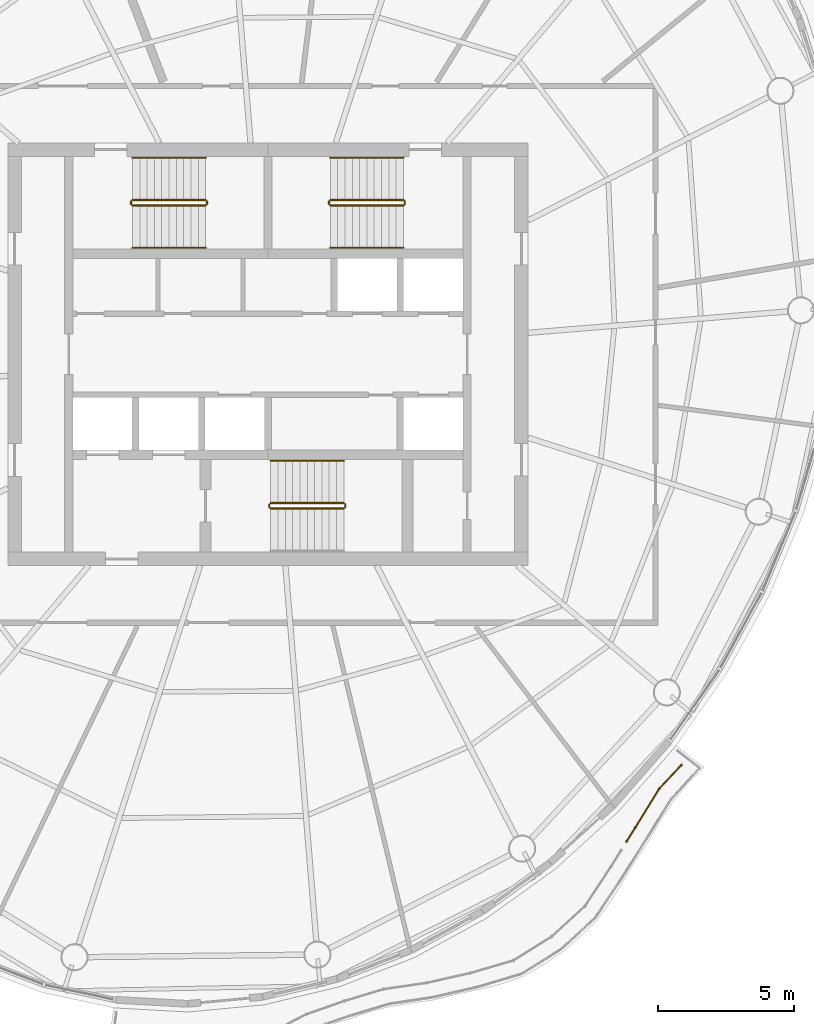
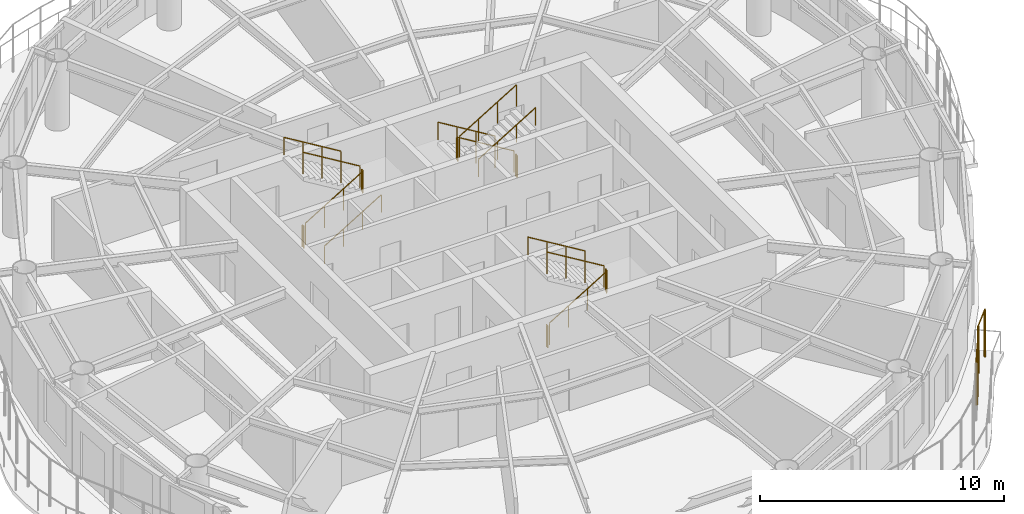
# One storey, part 12 of 13: 18 railings.
"""IFC4 building model written with IfcOpenShell, lengths in metres."""

from ifc_helpers import new_model, si_unit, direction, frame, origin, origin_2d, place, context, subcontext, project, spatial, circle, extrude, material, type_object, element, save


model = new_model("IFC4")

# Units and contexts
model_context = context("Model", 3, precision=1e-05, world=origin(), true_north=direction((0.0, 1.0)))
body_context = subcontext(model_context, "Body", "Model", "MODEL_VIEW")
ifc_project = project(units=[si_unit("LENGTHUNIT", "METRE"), si_unit("AREAUNIT", "SQUARE_METRE"), si_unit("VOLUMEUNIT", "CUBIC_METRE"), si_unit("PLANEANGLEUNIT", "RADIAN"), si_unit("MASSUNIT", "GRAM", prefix="KILO")], contexts=[model_context])

# Site, building, storey
site_placement = place(None, origin())
site = spatial("IfcSite", under=ifc_project, at=site_placement, CompositionType="ELEMENT")
building_placement = place(site_placement, origin())
building = spatial("IfcBuilding", under=site, at=building_placement, Name="Vermilion Reach Broadcast Tower", CompositionType="ELEMENT")
storey_placement = place(building_placement, frame((0.0, 0.0, 290.10009765625)))
storey = spatial("IfcBuildingStorey", under=building, at=storey_placement, Name="L72", CompositionType="ELEMENT", Elevation=290.10009765625)

# Railings
ifc_material_1 = material(Name="Terracotta baguette", Category="masonry")
railing_type_1 = type_object("IfcRailingType", Name="BAGUETTE SCREEN", PredefinedType="USERDEFINED", material=ifc_material_1)
railing_1_placement = place(storey_placement, frame((7.232421875, -17.976806640625, 0.0)))
element("IfcRailing", 1, at=railing_1_placement, inside=storey, type_object=railing_type_1, Name="Baguette screen L72 group 3 part 2", ObjectType="BAGUETTE SCREEN", PredefinedType="USERDEFINED", context=body_context, shape_type="SweptSolid", body=[
    extrude(circle(Radius=0.030029296875, at=origin_2d()), frame((0.0, 0.0, 2.369873046875), z_axis=(0.529998940003, 0.847998304005, 0.0), x_axis=(-0.847998304005, 0.529998940003, 0.0)), (0.0, 0.0, 1.0), 0.605712890625),
    extrude(circle(Radius=0.030029296875, at=origin_2d()), frame((0.321044921875, 0.513671875, 2.369873046875), z_axis=(0.523555021816, 0.851991865649, 0.0), x_axis=(-0.851991865649, 0.523555021816, 0.0)), (0.0, 0.0, 1.0), 1.682861328125),
    extrude(circle(Radius=0.030029296875, at=origin_2d()), frame((1.2021484375, 1.947509765625, 2.369873046875), z_axis=(0.683750833527, 0.729715559414, 0.0), x_axis=(-0.729715559414, 0.683750833527, 0.0)), (0.0, 0.0, 1.0), 1.195068359375),
    extrude(circle(Radius=0.050048828125, at=origin_2d()), origin(), (0.0, 0.0, 1.0), 2.33984375),
    extrude(circle(Radius=0.050048828125, at=origin_2d()), frame((0.321044921875, 0.513671875, 0.0)), (0.0, 0.0, 1.0), 2.33984375),
    extrude(circle(Radius=0.050048828125, at=origin_2d()), frame((1.2021484375, 1.947509765625, 0.0)), (0.0, 0.0, 1.0), 2.33984375),
    extrude(circle(Radius=0.050048828125, at=origin_2d()), frame((2.019287109375, 2.819580078125, 0.0)), (0.0, 0.0, 1.0), 2.33984375),
])
ifc_material_2 = material(Name="Stainless steel", Category="steel")
railing_type_2 = type_object("IfcRailingType", Name="Stair guard 1100", PredefinedType="GUARDRAIL", material=ifc_material_2)
railing_2_placement = place(storey_placement, frame((-11.0, 5.489990234375, 0.16357421875)))
element("IfcRailing", 2, at=railing_2_placement, inside=storey, type_object=railing_type_2, Name="L72 ST1 stair guard 1", PredefinedType="GUARDRAIL", context=body_context, shape_type="SweptSolid", body=[
    extrude(circle(Radius=0.02392578125, at=origin_2d()), frame((0.0, 0.0, 1.076171875), z_axis=(0.855212373127, 0.0, 0.518277721738), x_axis=(0.0, 1.0, 0.0)), (0.0, 0.0, 1.0), 3.156982421875),
    extrude(circle(Radius=0.02099609375, at=origin_2d()), origin(), (0.0, 0.0, 1.0), 1.052001953125),
    extrude(circle(Radius=0.02099609375, at=origin_2d()), frame((0.89990234375, 0.0, 0.54541015625)), (0.0, 0.0, 1.0), 1.052001953125),
    extrude(circle(Radius=0.02099609375, at=origin_2d()), frame((1.800048828125, 0.0, 1.0908203125)), (0.0, 0.0, 1.0), 1.052001953125),
    extrude(circle(Radius=0.02099609375, at=origin_2d()), frame((2.699951171875, 0.0, 1.63623046875)), (0.0, 0.0, 1.0), 1.052001953125),
])
railing_3_placement = place(storey_placement, frame((-8.25, 5.5400390625, 1.7998046875)))
element("IfcRailing", 3, at=railing_3_placement, inside=storey, type_object=railing_type_2, Name="L72 ST1 stair guard 2", PredefinedType="GUARDRAIL", context=body_context, shape_type="SweptSolid", body=[
    extrude(circle(Radius=0.02392578125, at=origin_2d()), frame((0.0, 0.0, 1.076171875), z_axis=(0.0, 1.0, 0.0), x_axis=(-1.0, 0.0, 0.0)), (0.0, 0.0, 1.0), 0.099853515625),
    extrude(circle(Radius=0.02099609375, at=origin_2d()), origin(), (0.0, 0.0, 1.0), 1.052001953125),
    extrude(circle(Radius=0.02099609375, at=origin_2d()), frame((0.0, 0.099853515625, 0.0)), (0.0, 0.0, 1.0), 1.052001953125),
])
railing_4_placement = place(storey_placement, frame((-8.300048828125, 5.68994140625, 1.963623046875)))
element("IfcRailing", 4, at=railing_4_placement, inside=storey, type_object=railing_type_2, Name="L72 ST1 stair guard 3", PredefinedType="GUARDRAIL", context=body_context, shape_type="SweptSolid", body=[
    extrude(circle(Radius=0.02392578125, at=origin_2d()), frame((0.0, 0.0, 1.076171875), z_axis=(-0.855212373127, 0.0, 0.518277721738), x_axis=(0.0, -1.0, 0.0)), (0.0, 0.0, 1.0), 3.156982421875),
    extrude(circle(Radius=0.02099609375, at=origin_2d()), origin(), (0.0, 0.0, 1.0), 1.052001953125),
    extrude(circle(Radius=0.02099609375, at=origin_2d()), frame((-0.89990234375, 0.0, 0.54541015625)), (0.0, 0.0, 1.0), 1.052001953125),
    extrude(circle(Radius=0.02099609375, at=origin_2d()), frame((-1.800048828125, 0.0, 1.0908203125)), (0.0, 0.0, 1.0), 1.052001953125),
    extrude(circle(Radius=0.02099609375, at=origin_2d()), frame((-2.699951171875, 0.0, 1.63623046875)), (0.0, 0.0, 1.0), 1.052001953125),
])
railing_5_placement = place(storey_placement, frame((-11.050048828125, 5.5400390625, 0.0)))
element("IfcRailing", 5, at=railing_5_placement, inside=storey, type_object=railing_type_2, Name="L72 ST1 stair guard 4", PredefinedType="GUARDRAIL", context=body_context, shape_type="SweptSolid", body=[
    extrude(circle(Radius=0.02392578125, at=origin_2d()), frame((0.0, 0.0, 1.076171875), z_axis=(0.0, 1.0, 0.0), x_axis=(-1.0, 0.0, 0.0)), (0.0, 0.0, 1.0), 0.099853515625),
    extrude(circle(Radius=0.02099609375, at=origin_2d()), origin(), (0.0, 0.0, 1.0), 1.052001953125),
    extrude(circle(Radius=0.02099609375, at=origin_2d()), frame((0.0, 0.099853515625, 0.0)), (0.0, 0.0, 1.0), 1.052001953125),
])
railing_6_placement = place(storey_placement, frame((-1.0, 5.68994140625, 0.16357421875)))
element("IfcRailing", 6, at=railing_6_placement, inside=storey, type_object=railing_type_2, Name="L72 ST2 stair guard 1", PredefinedType="GUARDRAIL", context=body_context, shape_type="SweptSolid", body=[
    extrude(circle(Radius=0.02392578125, at=origin_2d()), frame((0.0, 0.0, 1.076171875), z_axis=(-0.855212373127, 0.0, 0.518277721738), x_axis=(0.0, -1.0, 0.0)), (0.0, 0.0, 1.0), 3.156982421875),
    extrude(circle(Radius=0.02099609375, at=origin_2d()), origin(), (0.0, 0.0, 1.0), 1.052001953125),
    extrude(circle(Radius=0.02099609375, at=origin_2d()), frame((-0.89990234375, 0.0, 0.54541015625)), (0.0, 0.0, 1.0), 1.052001953125),
    extrude(circle(Radius=0.02099609375, at=origin_2d()), frame((-1.800048828125, 0.0, 1.0908203125)), (0.0, 0.0, 1.0), 1.052001953125),
    extrude(circle(Radius=0.02099609375, at=origin_2d()), frame((-2.699951171875, 0.0, 1.63623046875)), (0.0, 0.0, 1.0), 1.052001953125),
])
railing_7_placement = place(storey_placement, frame((-3.75, 5.639892578125, 1.7998046875)))
element("IfcRailing", 7, at=railing_7_placement, inside=storey, type_object=railing_type_2, Name="L72 ST2 stair guard 2", PredefinedType="GUARDRAIL", context=body_context, shape_type="SweptSolid", body=[
    extrude(circle(Radius=0.02392578125, at=origin_2d()), frame((0.0, 0.0, 1.076171875), z_axis=(0.0, -1.0, 0.0), x_axis=(1.0, 0.0, 0.0)), (0.0, 0.0, 1.0), 0.099853515625),
    extrude(circle(Radius=0.02099609375, at=origin_2d()), origin(), (0.0, 0.0, 1.0), 1.052001953125),
    extrude(circle(Radius=0.02099609375, at=origin_2d()), frame((0.0, -0.099853515625, 0.0)), (0.0, 0.0, 1.0), 1.052001953125),
])
railing_8_placement = place(storey_placement, frame((-3.699951171875, 5.489990234375, 1.963623046875)))
element("IfcRailing", 8, at=railing_8_placement, inside=storey, type_object=railing_type_2, Name="L72 ST2 stair guard 3", PredefinedType="GUARDRAIL", context=body_context, shape_type="SweptSolid", body=[
    extrude(circle(Radius=0.02392578125, at=origin_2d()), frame((0.0, 0.0, 1.076171875), z_axis=(0.855212373127, 0.0, 0.518277721738), x_axis=(0.0, 1.0, 0.0)), (0.0, 0.0, 1.0), 3.156982421875),
    extrude(circle(Radius=0.02099609375, at=origin_2d()), origin(), (0.0, 0.0, 1.0), 1.052001953125),
    extrude(circle(Radius=0.02099609375, at=origin_2d()), frame((0.89990234375, 0.0, 0.54541015625)), (0.0, 0.0, 1.0), 1.052001953125),
    extrude(circle(Radius=0.02099609375, at=origin_2d()), frame((1.800048828125, 0.0, 1.0908203125)), (0.0, 0.0, 1.0), 1.052001953125),
    extrude(circle(Radius=0.02099609375, at=origin_2d()), frame((2.699951171875, 0.0, 1.63623046875)), (0.0, 0.0, 1.0), 1.052001953125),
])
railing_9_placement = place(storey_placement, frame((-0.949951171875, 5.639892578125, 0.0)))
element("IfcRailing", 9, at=railing_9_placement, inside=storey, type_object=railing_type_2, Name="L72 ST2 stair guard 4", PredefinedType="GUARDRAIL", context=body_context, shape_type="SweptSolid", body=[
    extrude(circle(Radius=0.02392578125, at=origin_2d()), frame((0.0, 0.0, 1.076171875), z_axis=(0.0, -1.0, 0.0), x_axis=(1.0, 0.0, 0.0)), (0.0, 0.0, 1.0), 0.099853515625),
    extrude(circle(Radius=0.02099609375, at=origin_2d()), origin(), (0.0, 0.0, 1.0), 1.052001953125),
    extrude(circle(Radius=0.02099609375, at=origin_2d()), frame((0.0, -0.099853515625, 0.0)), (0.0, 0.0, 1.0), 1.052001953125),
])
railing_10_placement = place(storey_placement, frame((-5.89990234375, -5.68994140625, 0.16357421875)))
element("IfcRailing", 10, at=railing_10_placement, inside=storey, type_object=railing_type_2, Name="L72 ST3 stair guard 1", PredefinedType="GUARDRAIL", context=body_context, shape_type="SweptSolid", body=[
    extrude(circle(Radius=0.02392578125, at=origin_2d()), frame((0.0, 0.0, 1.076171875), z_axis=(0.855212373127, 0.0, 0.518277721738), x_axis=(0.0, 1.0, 0.0)), (0.0, 0.0, 1.0), 3.156982421875),
    extrude(circle(Radius=0.02099609375, at=origin_2d()), origin(), (0.0, 0.0, 1.0), 1.052001953125),
    extrude(circle(Radius=0.02099609375, at=origin_2d()), frame((0.89990234375, 0.0, 0.54541015625)), (0.0, 0.0, 1.0), 1.052001953125),
    extrude(circle(Radius=0.02099609375, at=origin_2d()), frame((1.800048828125, 0.0, 1.0908203125)), (0.0, 0.0, 1.0), 1.052001953125),
    extrude(circle(Radius=0.02099609375, at=origin_2d()), frame((2.699951171875, 0.0, 1.63623046875)), (0.0, 0.0, 1.0), 1.052001953125),
])
railing_11_placement = place(storey_placement, frame((-3.14990234375, -5.639892578125, 1.7998046875)))
element("IfcRailing", 11, at=railing_11_placement, inside=storey, type_object=railing_type_2, Name="L72 ST3 stair guard 2", PredefinedType="GUARDRAIL", context=body_context, shape_type="SweptSolid", body=[
    extrude(circle(Radius=0.02392578125, at=origin_2d()), frame((0.0, 0.0, 1.076171875), z_axis=(0.0, 1.0, 0.0), x_axis=(-1.0, 0.0, 0.0)), (0.0, 0.0, 1.0), 0.099853515625),
    extrude(circle(Radius=0.02099609375, at=origin_2d()), origin(), (0.0, 0.0, 1.0), 1.052001953125),
    extrude(circle(Radius=0.02099609375, at=origin_2d()), frame((0.0, 0.099853515625, 0.0)), (0.0, 0.0, 1.0), 1.052001953125),
])
railing_12_placement = place(storey_placement, frame((-3.199951171875, -5.489990234375, 1.963623046875)))
element("IfcRailing", 12, at=railing_12_placement, inside=storey, type_object=railing_type_2, Name="L72 ST3 stair guard 3", PredefinedType="GUARDRAIL", context=body_context, shape_type="SweptSolid", body=[
    extrude(circle(Radius=0.02392578125, at=origin_2d()), frame((0.0, 0.0, 1.076171875), z_axis=(-0.855212373127, 0.0, 0.518277721738), x_axis=(0.0, -1.0, 0.0)), (0.0, 0.0, 1.0), 3.156982421875),
    extrude(circle(Radius=0.02099609375, at=origin_2d()), origin(), (0.0, 0.0, 1.0), 1.052001953125),
    extrude(circle(Radius=0.02099609375, at=origin_2d()), frame((-0.89990234375, 0.0, 0.54541015625)), (0.0, 0.0, 1.0), 1.052001953125),
    extrude(circle(Radius=0.02099609375, at=origin_2d()), frame((-1.800048828125, 0.0, 1.0908203125)), (0.0, 0.0, 1.0), 1.052001953125),
    extrude(circle(Radius=0.02099609375, at=origin_2d()), frame((-2.699951171875, 0.0, 1.63623046875)), (0.0, 0.0, 1.0), 1.052001953125),
])
railing_13_placement = place(storey_placement, frame((-5.949951171875, -5.639892578125, 0.0)))
element("IfcRailing", 13, at=railing_13_placement, inside=storey, type_object=railing_type_2, Name="L72 ST3 stair guard 4", PredefinedType="GUARDRAIL", context=body_context, shape_type="SweptSolid", body=[
    extrude(circle(Radius=0.02392578125, at=origin_2d()), frame((0.0, 0.0, 1.076171875), z_axis=(0.0, 1.0, 0.0), x_axis=(-1.0, 0.0, 0.0)), (0.0, 0.0, 1.0), 0.099853515625),
    extrude(circle(Radius=0.02099609375, at=origin_2d()), origin(), (0.0, 0.0, 1.0), 1.052001953125),
    extrude(circle(Radius=0.02099609375, at=origin_2d()), frame((0.0, 0.099853515625, 0.0)), (0.0, 0.0, 1.0), 1.052001953125),
])
ifc_material_3 = material(Name="Stainless steel", Category="steel")
railing_type_3 = type_object("IfcRailingType", Name="Stair handrail", PredefinedType="HANDRAIL", material=ifc_material_3)
railing_14_placement = place(storey_placement, frame((-11.0, 3.929931640625, 0.16357421875)))
element("IfcRailing", 14, at=railing_14_placement, inside=storey, type_object=railing_type_3, Name="L72 ST1 stair handrail 1", PredefinedType="HANDRAIL", context=body_context, shape_type="SweptSolid", body=[
    extrude(circle(Radius=0.02392578125, at=origin_2d()), frame((0.0, 0.0, 0.8759765625), z_axis=(0.855212373127, 0.0, 0.518277721738), x_axis=(0.0, 1.0, 0.0)), (0.0, 0.0, 1.0), 3.156982421875),
    extrude(circle(Radius=0.02099609375, at=origin_2d()), origin(), (0.0, 0.0, 1.0), 0.851806640625),
    extrude(circle(Radius=0.02099609375, at=origin_2d()), frame((0.89990234375, 0.0, 0.54541015625)), (0.0, 0.0, 1.0), 0.851806640625),
    extrude(circle(Radius=0.02099609375, at=origin_2d()), frame((1.800048828125, 0.0, 1.0908203125)), (0.0, 0.0, 1.0), 0.851806640625),
    extrude(circle(Radius=0.02099609375, at=origin_2d()), frame((2.699951171875, 0.0, 1.63623046875)), (0.0, 0.0, 1.0), 0.851806640625),
])
for number, where, name in (
    (15, (-8.300048828125, 7.25, 1.963623046875), "L72 ST1 stair handrail 2"),
    (16, (-1.0, 7.25, 0.16357421875), "L72 ST2 stair handrail 1"),
):
    element("IfcRailing", number, at=place(storey_placement, frame(where)), inside=storey, type_object=railing_type_3, Name=name, PredefinedType="HANDRAIL", context=body_context, shape_type="SweptSolid", body=[
        extrude(circle(Radius=0.02392578125, at=origin_2d()), frame((0.0, 0.0, 0.8759765625), z_axis=(-0.855212373127, 0.0, 0.518277721738), x_axis=(0.0, -1.0, 0.0)), (0.0, 0.0, 1.0), 3.156982421875),
        extrude(circle(Radius=0.02099609375, at=origin_2d()), origin(), (0.0, 0.0, 1.0), 0.851806640625),
        extrude(circle(Radius=0.02099609375, at=origin_2d()), frame((-0.89990234375, 0.0, 0.54541015625)), (0.0, 0.0, 1.0), 0.851806640625),
        extrude(circle(Radius=0.02099609375, at=origin_2d()), frame((-1.800048828125, 0.0, 1.0908203125)), (0.0, 0.0, 1.0), 0.851806640625),
        extrude(circle(Radius=0.02099609375, at=origin_2d()), frame((-2.699951171875, 0.0, 1.63623046875)), (0.0, 0.0, 1.0), 0.851806640625),
    ])
railing_15_placement = place(storey_placement, frame((-3.699951171875, 3.929931640625, 1.963623046875)))
element("IfcRailing", 17, at=railing_15_placement, inside=storey, type_object=railing_type_3, Name="L72 ST2 stair handrail 2", PredefinedType="HANDRAIL", context=body_context, shape_type="SweptSolid", body=[
    extrude(circle(Radius=0.02392578125, at=origin_2d()), frame((0.0, 0.0, 0.8759765625), z_axis=(0.855212373127, 0.0, 0.518277721738), x_axis=(0.0, 1.0, 0.0)), (0.0, 0.0, 1.0), 3.156982421875),
    extrude(circle(Radius=0.02099609375, at=origin_2d()), origin(), (0.0, 0.0, 1.0), 0.851806640625),
    extrude(circle(Radius=0.02099609375, at=origin_2d()), frame((0.89990234375, 0.0, 0.54541015625)), (0.0, 0.0, 1.0), 0.851806640625),
    extrude(circle(Radius=0.02099609375, at=origin_2d()), frame((1.800048828125, 0.0, 1.0908203125)), (0.0, 0.0, 1.0), 0.851806640625),
    extrude(circle(Radius=0.02099609375, at=origin_2d()), frame((2.699951171875, 0.0, 1.63623046875)), (0.0, 0.0, 1.0), 0.851806640625),
])
railing_16_placement = place(storey_placement, frame((-3.199951171875, -3.929931640625, 1.963623046875)))
element("IfcRailing", 18, at=railing_16_placement, inside=storey, type_object=railing_type_3, Name="L72 ST3 stair handrail 2", PredefinedType="HANDRAIL", context=body_context, shape_type="SweptSolid", body=[
    extrude(circle(Radius=0.02392578125, at=origin_2d()), frame((0.0, 0.0, 0.8759765625), z_axis=(-0.855212373127, 0.0, 0.518277721738), x_axis=(0.0, -1.0, 0.0)), (0.0, 0.0, 1.0), 3.156982421875),
    extrude(circle(Radius=0.02099609375, at=origin_2d()), origin(), (0.0, 0.0, 1.0), 0.851806640625),
    extrude(circle(Radius=0.02099609375, at=origin_2d()), frame((-0.89990234375, 0.0, 0.54541015625)), (0.0, 0.0, 1.0), 0.851806640625),
    extrude(circle(Radius=0.02099609375, at=origin_2d()), frame((-1.800048828125, 0.0, 1.0908203125)), (0.0, 0.0, 1.0), 0.851806640625),
    extrude(circle(Radius=0.02099609375, at=origin_2d()), frame((-2.699951171875, 0.0, 1.63623046875)), (0.0, 0.0, 1.0), 0.851806640625),
])

save(model, "model.ifc")
